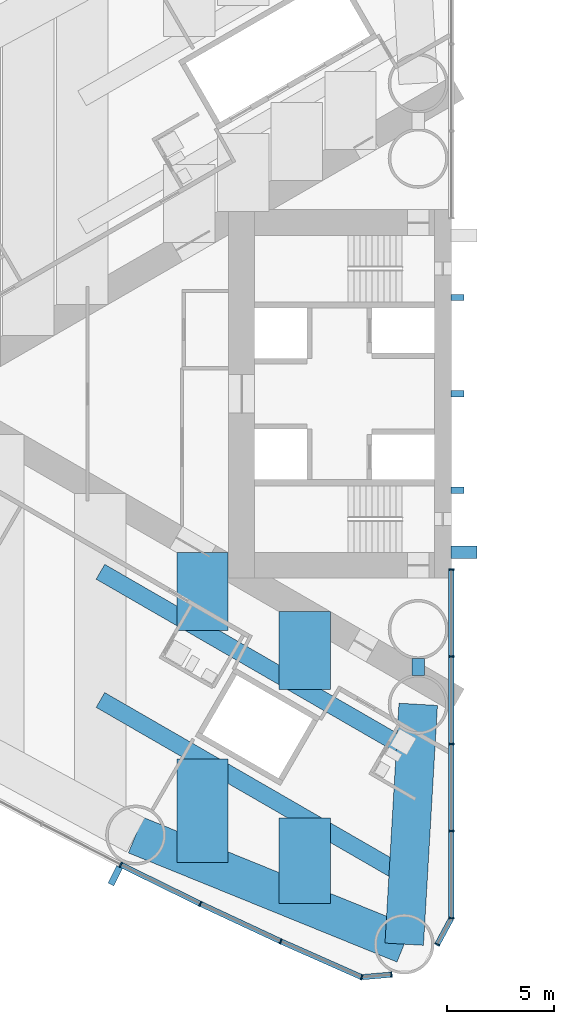
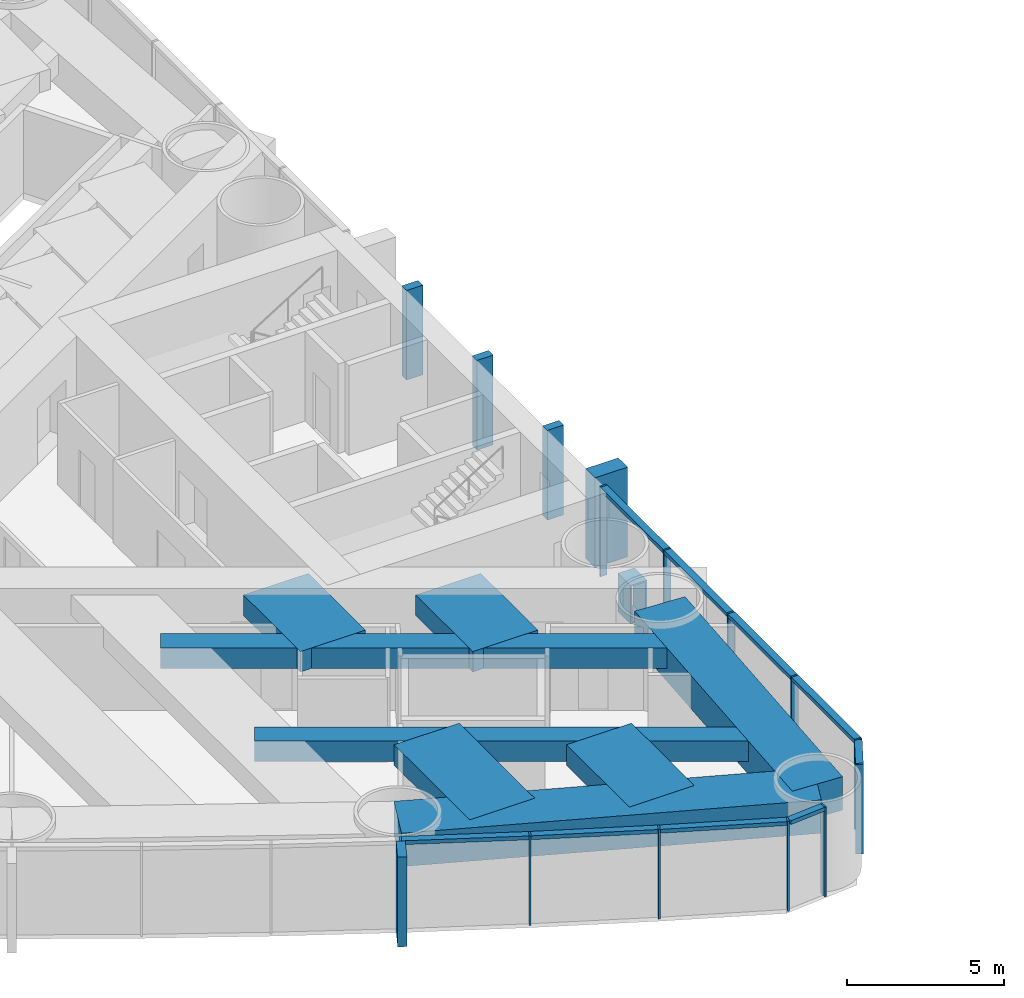
# One storey, part 3 of 18: 25 members, 9 beams, 2 elements without a shape of their own.
"""IFC4 building model written with IfcOpenShell, lengths in metres."""

from ifc_helpers import new_model, si_unit, direction, frame, origin, origin_2d, place, context, subcontext, project, spatial, rectangle, hollow_rectangle, extrude, material, material_profile, profile_set, type_object, element, aggregate, save


model = new_model("IFC4")

# Units and contexts
model_context = context("Model", 3, precision=1e-05, world=origin(), true_north=direction((0.0, 1.0)))
body_context = subcontext(model_context, "Body", "Model", "MODEL_VIEW")
ifc_project = project(units=[si_unit("LENGTHUNIT", "METRE"), si_unit("AREAUNIT", "SQUARE_METRE"), si_unit("VOLUMEUNIT", "CUBIC_METRE"), si_unit("PLANEANGLEUNIT", "RADIAN"), si_unit("MASSUNIT", "GRAM", prefix="KILO")], contexts=[model_context])

# Site, building, storey
site_placement = place(None, origin())
site = spatial("IfcSite", under=ifc_project, at=site_placement, CompositionType="ELEMENT")
building_placement = place(site_placement, origin())
building = spatial("IfcBuilding", under=site, at=building_placement, Name="Lancet Gate Hotel", CompositionType="ELEMENT")
storey_placement = place(building_placement, frame((0.0, 0.0, 46.0)))
storey = spatial("IfcBuildingStorey", under=building, at=storey_placement, Name="L11", CompositionType="ELEMENT", Elevation=46.0)

# Curtain wall, members
ifc_material_1 = material(Name="Aluminium curtain wall", Category="aluminium")
curtain_wall_type = type_object("IfcCurtainWallType", Name="Tower unitised curtain wall", PredefinedType="USERDEFINED", material=ifc_material_1)
curtain_wall_1_placement = place(storey_placement, origin())
curtain_wall_1 = element("IfcCurtainWall", 1, at=curtain_wall_1_placement, inside=storey, type_object=curtain_wall_type, Name="T1 L11 curtain wall 3", ObjectType="UNITISED CURTAIN WALL", PredefinedType="USERDEFINED")
ifc_material_2 = material(Name="Aluminium mullion", Category="aluminium")
ifc_material_profile_1 = material_profile(ifc_material_2, rectangle(XDim=0.06494140625, YDim=0.25, at=origin_2d()), Name="MULLION 65x250")
ifc_profile_set_1 = profile_set([ifc_material_profile_1], Name="Aluminium mullion")
member_type_1 = type_object("IfcMemberType", Name="Aluminium mullion 65x250", PredefinedType="MULLION", material=ifc_profile_set_1)
member_1_placement = place(storey_placement, frame((-42.94189453125, -21.991943359375, 0.0), z_axis=(0.0, 0.0, 1.0), x_axis=(0.893291549794, -0.449477704748, 0.0)))
member_1 = element("IfcMember", 2, at=member_1_placement, type_object=member_type_1, Name="T1 L11 curtain wall 3 mullion 11", PredefinedType="MULLION", context=body_context, shape_type="SweptSolid", body=[
    extrude(rectangle(XDim=0.06494140625, YDim=0.25, at=origin_2d()), origin(), (0.0, 0.0, 1.0), 3.5),
])
member_2_placement = place(storey_placement, frame((-39.225341796875, -23.816650390625, 0.0), z_axis=(0.0, 0.0, 1.0), x_axis=(0.901928838337, -0.431884672772, 0.0)))
member_2 = element("IfcMember", 3, at=member_2_placement, type_object=member_type_1, Name="T1 L11 curtain wall 3 mullion 12", PredefinedType="MULLION", context=body_context, shape_type="SweptSolid", body=[
    extrude(rectangle(XDim=0.06494140625, YDim=0.25, at=origin_2d()), origin(), (0.0, 0.0, 1.0), 3.5),
])
member_3_placement = place(storey_placement, frame((-35.473876953125, -25.568115234375, 0.0), z_axis=(0.0, 0.0, 1.0), x_axis=(0.910219680212, -0.414125746308, 0.0)))
member_3 = element("IfcMember", 4, at=member_3_placement, type_object=member_type_1, Name="T1 L11 curtain wall 3 mullion 13", PredefinedType="MULLION", context=body_context, shape_type="SweptSolid", body=[
    extrude(rectangle(XDim=0.06494140625, YDim=0.25, at=origin_2d()), origin(), (0.0, 0.0, 1.0), 3.5),
])
member_4_placement = place(storey_placement, frame((-31.688720703125, -27.24560546875, 0.0), z_axis=(0.0, 0.0, 1.0), x_axis=(0.957524354695, -0.288352406209, 0.0)))
member_4 = element("IfcMember", 5, at=member_4_placement, type_object=member_type_1, Name="T1 L11 curtain wall 3 mullion 14", PredefinedType="MULLION", context=body_context, shape_type="SweptSolid", body=[
    extrude(rectangle(XDim=0.06494140625, YDim=0.25, at=origin_2d()), origin(), (0.0, 0.0, 1.0), 3.5),
])
member_5_placement = place(storey_placement, frame((-30.3046875, -27.124755859375, 0.0), z_axis=(0.0, 0.0, 1.0), x_axis=(0.99620380374, 0.087051602022, 0.0)))
member_5 = element("IfcMember", 6, at=member_5_placement, type_object=member_type_1, Name="T1 L11 curtain wall 3 mullion 15", PredefinedType="MULLION", context=body_context, shape_type="SweptSolid", body=[
    extrude(rectangle(XDim=0.06494140625, YDim=0.25, at=origin_2d()), origin(), (0.0, 0.0, 1.0), 3.5),
])

curtain_wall_2_placement = place(storey_placement, origin())
curtain_wall_2 = element("IfcCurtainWall", 7, at=curtain_wall_2_placement, inside=storey, type_object=curtain_wall_type, Name="T1 L11 curtain wall 4", ObjectType="UNITISED CURTAIN WALL", PredefinedType="USERDEFINED")
member_6_placement = place(storey_placement, frame((-28.158935546875, -25.712890625, 0.0), z_axis=(0.0, 0.0, 1.0), x_axis=(0.474631040972, 0.880184852714, 0.0)))
member_6 = element("IfcMember", 8, at=member_6_placement, type_object=member_type_1, Name="T1 L11 curtain wall 4 mullion 1", PredefinedType="MULLION", context=body_context, shape_type="SweptSolid", body=[
    extrude(rectangle(XDim=0.06494140625, YDim=0.25, at=origin_2d()), origin(), (0.0, 0.0, 1.0), 3.5),
])
member_7_placement = place(storey_placement, frame((-27.5, -24.4912109375, 0.0), z_axis=(0.0, 0.0, 1.0), x_axis=(0.123482502544, 0.992346749662, 0.0)))
member_7 = element("IfcMember", 9, at=member_7_placement, type_object=member_type_1, Name="T1 L11 curtain wall 4 mullion 2", PredefinedType="MULLION", context=body_context, shape_type="SweptSolid", body=[
    extrude(rectangle(XDim=0.06494140625, YDim=0.25, at=origin_2d()), origin(), (0.0, 0.0, 1.0), 3.5),
])
member_8_placement = place(storey_placement, frame((-27.5, -20.41845703125, 0.0), z_axis=(0.0, 0.0, 1.0), x_axis=(0.0, 1.0, 0.0)))
member_8 = element("IfcMember", 10, at=member_8_placement, type_object=member_type_1, Name="T1 L11 curtain wall 4 mullion 3", PredefinedType="MULLION", context=body_context, shape_type="SweptSolid", body=[
    extrude(rectangle(XDim=0.06494140625, YDim=0.25, at=origin_2d()), origin(), (0.0, 0.0, 1.0), 3.5),
])
member_9_placement = place(storey_placement, frame((-27.5, -16.345703125, 0.0), z_axis=(0.0, 0.0, 1.0), x_axis=(0.0, 1.0, 0.0)))
member_9 = element("IfcMember", 11, at=member_9_placement, type_object=member_type_1, Name="T1 L11 curtain wall 4 mullion 4", PredefinedType="MULLION", context=body_context, shape_type="SweptSolid", body=[
    extrude(rectangle(XDim=0.06494140625, YDim=0.25, at=origin_2d()), origin(), (0.0, 0.0, 1.0), 3.5),
])
member_10_placement = place(storey_placement, frame((-27.5, -12.272705078125, 0.0), z_axis=(0.0, 0.0, 1.0), x_axis=(0.0, 1.0, 0.0)))
member_10 = element("IfcMember", 12, at=member_10_placement, type_object=member_type_1, Name="T1 L11 curtain wall 4 mullion 5", PredefinedType="MULLION", context=body_context, shape_type="SweptSolid", body=[
    extrude(rectangle(XDim=0.06494140625, YDim=0.25, at=origin_2d()), origin(), (0.0, 0.0, 1.0), 3.5),
])
member_11_placement = place(storey_placement, frame((-27.5, -8.199951171875, 0.0), z_axis=(0.0, 0.0, 1.0), x_axis=(0.0, 1.0, 0.0)))
member_11 = element("IfcMember", 13, at=member_11_placement, type_object=member_type_1, Name="T1 L11 curtain wall 4 mullion 6", PredefinedType="MULLION", context=body_context, shape_type="SweptSolid", body=[
    extrude(rectangle(XDim=0.06494140625, YDim=0.25, at=origin_2d()), origin(), (0.0, 0.0, 1.0), 3.5),
])

# Member
ifc_material_3 = material(Name="Aluminium transom", Category="aluminium")
ifc_material_profile_2 = material_profile(ifc_material_3, rectangle(XDim=0.25, YDim=0.14990234375, at=origin_2d()), Name="TRANSOM 250x150")
ifc_profile_set_2 = profile_set([ifc_material_profile_2], Name="Aluminium transom")
member_type_2 = type_object("IfcMemberType", Name="Aluminium transom 250x150", PredefinedType="USERDEFINED", material=ifc_profile_set_2)
member_12_placement = place(storey_placement, frame((-42.912841796875, -22.00634765625, 3.425048828125), z_axis=(0.897662439958, -0.440683723194, 0.0), x_axis=(0.440683723194, 0.897662439958, 0.0)))
member_12 = element("IfcMember", 14, at=member_12_placement, type_object=member_type_2, Name="T1 L11 curtain wall 3 transom 11", ObjectType="TRANSOM", PredefinedType="USERDEFINED", context=body_context, shape_type="SweptSolid", body=[
    extrude(rectangle(XDim=0.25, YDim=0.14990234375, at=origin_2d()), origin(), (0.0, 0.0, 1.0), 4.0751953125),
])

member_13_placement = place(storey_placement, frame((-39.196044921875, -23.830322265625, 3.425048828125), z_axis=(0.906109667261, -0.423042871228, 0.0), x_axis=(0.423042871228, 0.906109667261, 0.0)))
member_13 = element("IfcMember", 15, at=member_13_placement, type_object=member_type_2, Name="T1 L11 curtain wall 3 transom 12", ObjectType="TRANSOM", PredefinedType="USERDEFINED", context=body_context, shape_type="SweptSolid", body=[
    extrude(rectangle(XDim=0.25, YDim=0.14990234375, at=origin_2d()), origin(), (0.0, 0.0, 1.0), 4.075439453125),
])

member_14_placement = place(storey_placement, frame((-35.444091796875, -25.581298828125, 3.425048828125), z_axis=(0.914248281954, -0.405154389022, 0.0), x_axis=(0.405154389022, 0.914248281954, 0.0)))
member_14 = element("IfcMember", 16, at=member_14_placement, type_object=member_type_2, Name="T1 L11 curtain wall 3 transom 13", ObjectType="TRANSOM", PredefinedType="USERDEFINED", context=body_context, shape_type="SweptSolid", body=[
    extrude(rectangle(XDim=0.25, YDim=0.14990234375, at=origin_2d()), origin(), (0.0, 0.0, 1.0), 4.0751953125),
])

member_15_placement = place(storey_placement, frame((-31.65625, -27.242919921875, 3.425048828125), z_axis=(0.99620591587, 0.087027427779, 0.0), x_axis=(-0.087027427779, 0.99620591587, 0.0)))
member_15 = element("IfcMember", 17, at=member_15_placement, type_object=member_type_2, Name="T1 L11 curtain wall 3 transom 14", ObjectType="TRANSOM", PredefinedType="USERDEFINED", context=body_context, shape_type="SweptSolid", body=[
    extrude(rectangle(XDim=0.25, YDim=0.14990234375, at=origin_2d()), origin(), (0.0, 0.0, 1.0), 1.32421875),
])

member_16_placement = place(storey_placement, frame((-28.143310546875, -25.684326171875, 3.425048828125), z_axis=(0.474605926905, 0.880198394765, 0.0), x_axis=(-0.880198394765, 0.474605926905, 0.0)))
member_16 = element("IfcMember", 18, at=member_16_placement, type_object=member_type_2, Name="T1 L11 curtain wall 4 transom 1", ObjectType="TRANSOM", PredefinedType="USERDEFINED", context=body_context, shape_type="SweptSolid", body=[
    extrude(rectangle(XDim=0.25, YDim=0.14990234375, at=origin_2d()), origin(), (0.0, 0.0, 1.0), 1.322998046875),
])

member_17_placement = place(storey_placement, frame((-27.5, -24.458740234375, 3.425048828125), z_axis=(0.0, 1.0, 0.0), x_axis=(-1.0, 0.0, 0.0)))
member_17 = element("IfcMember", 19, at=member_17_placement, type_object=member_type_2, Name="T1 L11 curtain wall 4 transom 2", ObjectType="TRANSOM", PredefinedType="USERDEFINED", context=body_context, shape_type="SweptSolid", body=[
    extrude(rectangle(XDim=0.25, YDim=0.14990234375, at=origin_2d()), origin(), (0.0, 0.0, 1.0), 4.0078125),
])

member_18_placement = place(storey_placement, frame((-27.5, -20.385986328125, 3.425048828125), z_axis=(0.0, 1.0, 0.0), x_axis=(-1.0, 0.0, 0.0)))
member_18 = element("IfcMember", 20, at=member_18_placement, type_object=member_type_2, Name="T1 L11 curtain wall 4 transom 3", ObjectType="TRANSOM", PredefinedType="USERDEFINED", context=body_context, shape_type="SweptSolid", body=[
    extrude(rectangle(XDim=0.25, YDim=0.14990234375, at=origin_2d()), origin(), (0.0, 0.0, 1.0), 4.0078125),
])

member_19_placement = place(storey_placement, frame((-27.5, -16.31298828125, 3.425048828125), z_axis=(0.0, 1.0, 0.0), x_axis=(-1.0, 0.0, 0.0)))
member_19 = element("IfcMember", 21, at=member_19_placement, type_object=member_type_2, Name="T1 L11 curtain wall 4 transom 4", ObjectType="TRANSOM", PredefinedType="USERDEFINED", context=body_context, shape_type="SweptSolid", body=[
    extrude(rectangle(XDim=0.25, YDim=0.14990234375, at=origin_2d()), origin(), (0.0, 0.0, 1.0), 4.0078125),
])

member_20_placement = place(storey_placement, frame((-27.5, -12.240234375, 3.425048828125), z_axis=(0.0, 1.0, 0.0), x_axis=(-1.0, 0.0, 0.0)))
member_20 = element("IfcMember", 22, at=member_20_placement, type_object=member_type_2, Name="T1 L11 curtain wall 4 transom 5", ObjectType="TRANSOM", PredefinedType="USERDEFINED", context=body_context, shape_type="SweptSolid", body=[
    extrude(rectangle(XDim=0.25, YDim=0.14990234375, at=origin_2d()), origin(), (0.0, 0.0, 1.0), 4.0078125),
])

aggregate(curtain_wall_2, [member_6, member_7, member_8, member_9, member_10, member_11, member_16, member_17, member_18, member_19, member_20])

# Beams
ifc_material_4 = material(Name="Concrete C50/60", Category="concrete")
ifc_material_profile_3 = material_profile(ifc_material_4, rectangle(XDim=1.800048828125, YDim=1.300048828125, at=origin_2d()), Name="RC 1800x1300")
ifc_profile_set_3 = profile_set([ifc_material_profile_3], Name="Concrete C50/60")
beam_type_1 = type_object("IfcBeamType", Name="Edge beam RC 1800x1300", PredefinedType="SPANDREL", material=ifc_profile_set_3)
beam_1_placement = place(storey_placement, frame((-42.2451171875, -20.607421875, 2.60009765625), z_axis=(0.926463236197, -0.376385270667, 0.0), x_axis=(0.376385270667, 0.926463236197, 0.0)))
element("IfcBeam", 23, at=beam_1_placement, inside=storey, type_object=beam_type_1, Name="T1 edge beam EB1 L11", PredefinedType="SPANDREL", context=body_context, shape_type="SweptSolid", body=[
    extrude(rectangle(XDim=1.800048828125, YDim=1.300048828125, at=origin_2d()), origin(), (0.0, 0.0, 1.0), 13.537353515625),
])
beam_2_placement = place(storey_placement, frame((-29.050048828125, -14.5, 2.60009765625), z_axis=(-0.058219521912, -0.998303805096, 0.0), x_axis=(0.998303805096, -0.058219521912, 0.0)))
element("IfcBeam", 24, at=beam_2_placement, inside=storey, type_object=beam_type_1, Name="T1 edge beam EB1 L11", PredefinedType="SPANDREL", context=body_context, shape_type="SweptSolid", body=[
    extrude(rectangle(XDim=1.800048828125, YDim=1.300048828125, at=origin_2d()), origin(), (0.0, 0.0, 1.0), 11.2216796875),
])

# Member
ifc_material_5 = material(Name="Concrete C60/75", Category="concrete")
ifc_material_profile_4 = material_profile(ifc_material_5, rectangle(XDim=0.60009765625, YDim=1.199951171875, at=origin_2d()), Name="FIN 600x1200")
ifc_profile_set_4 = profile_set([ifc_material_profile_4], Name="Concrete C60/75")
member_type_3 = type_object("IfcMemberType", Name="Exposed concrete buttress pilaster 600x1200", PredefinedType="USERDEFINED", material=ifc_profile_set_4)
member_21_placement = place(storey_placement, frame((-26.909912109375, -7.39990234375, 0.0), z_axis=(0.0, 0.0, 1.0), x_axis=(0.0, 1.0, 0.0)))
element("IfcMember", 25, at=member_21_placement, inside=storey, type_object=member_type_3, Name="T1 buttress pilaster N L11", ObjectType="FIN", PredefinedType="USERDEFINED", context=body_context, shape_type="SweptSolid", body=[
    extrude(rectangle(XDim=0.60009765625, YDim=1.199951171875, at=origin_2d()), origin(), (0.0, 0.0, 1.0), 3.5),
])

ifc_material_6 = material(Name="Precast concrete C50/60", Category="concrete")
ifc_material_profile_5 = material_profile(ifc_material_6, rectangle(XDim=0.300048828125, YDim=0.89990234375, at=origin_2d()), Name="FIN 300x900")
ifc_profile_set_5 = profile_set([ifc_material_profile_5], Name="Precast concrete C50/60")
member_type_4 = type_object("IfcMemberType", Name="Exposed concrete fin 300x900", PredefinedType="USERDEFINED", material=ifc_profile_set_5)
member_22_placement = place(storey_placement, frame((-43.200439453125, -22.505615234375, 0.0), z_axis=(0.0, 0.0, 1.0), x_axis=(0.893291549794, -0.449477704748, 0.0)))
member_22 = element("IfcMember", 26, at=member_22_placement, type_object=member_type_4, Name="T1 L11 curtain wall 3 fin 11", ObjectType="FIN", PredefinedType="USERDEFINED", context=body_context, shape_type="SweptSolid", body=[
    extrude(rectangle(XDim=0.300048828125, YDim=0.89990234375, at=origin_2d()), origin(), (0.0, 0.0, 1.0), 3.5),
])

aggregate(curtain_wall_1, [member_1, member_22, member_2, member_3, member_4, member_5, member_12, member_13, member_14, member_15])

# Members
ifc_material_7 = material(Name="Concrete C60/75", Category="concrete")
ifc_material_profile_6 = material_profile(ifc_material_7, rectangle(XDim=0.300048828125, YDim=0.60009765625, at=origin_2d()), Name="FIN 300x600")
ifc_profile_set_6 = profile_set([ifc_material_profile_6], Name="Concrete C60/75")
member_type_5 = type_object("IfcMemberType", Name="Exposed concrete rib 300x600", PredefinedType="USERDEFINED", material=ifc_profile_set_6)
for number, where, z_axis, x_axis, name in (
    (27, (-27.2099609375, 4.5, 0.0), (0.0, 0.0, 1.0), (0.0, 1.0, 0.0), "T1 core rib 1 L11"),
    (28, (-27.2099609375, 0.0, 0.0), (0.0, 0.0, 1.0), (0.0, 1.0, 0.0), "T1 core rib 2 L11"),
    (29, (-27.2099609375, -4.5, 0.0), (0.0, 0.0, 1.0), (0.0, 1.0, 0.0), "T1 core rib 3 L11"),
):
    element("IfcMember", number, at=place(storey_placement, frame(where, z_axis=z_axis, x_axis=x_axis)), inside=storey, type_object=member_type_5, Name=name, ObjectType="FIN", PredefinedType="USERDEFINED", context=body_context, shape_type="SweptSolid", body=[
        extrude(rectangle(XDim=0.300048828125, YDim=0.60009765625, at=origin_2d()), origin(), (0.0, 0.0, 1.0), 3.5),
    ])

# Beams
ifc_material_8 = material(Name="Concrete C50/60", Category="concrete")
ifc_material_profile_7 = material_profile(ifc_material_8, rectangle(XDim=2.39990234375, YDim=0.800048828125, at=origin_2d()), Name="RC 2400x800")
ifc_profile_set_7 = profile_set([ifc_material_profile_7], Name="Concrete C50/60")
beam_type_2 = type_object("IfcBeamType", Name="Floor beam RC 2400x800", PredefinedType="BEAM", material=ifc_profile_set_7)
beam_3_placement = place(storey_placement, frame((-34.353515625, -10.169921875, 2.85009765625), z_axis=(0.0, -1.0, 0.0), x_axis=(1.0, 0.0, 0.0)))
element("IfcBeam", 30, at=beam_3_placement, inside=storey, type_object=beam_type_2, Name="T1 floor beam F03NA L11", PredefinedType="BEAM", context=body_context, shape_type="SweptSolid", body=[
    extrude(rectangle(XDim=2.39990234375, YDim=0.800048828125, at=origin_2d()), origin(), (0.0, 0.0, 1.0), 3.645751953125),
])
beam_4_placement = place(storey_placement, frame((-34.353515625, -19.802978515625, 2.85009765625), z_axis=(0.0, -1.0, 0.0), x_axis=(1.0, 0.0, 0.0)))
element("IfcBeam", 31, at=beam_4_placement, inside=storey, type_object=beam_type_2, Name="T1 floor beam F03NB L11", PredefinedType="BEAM", context=body_context, shape_type="SweptSolid", body=[
    extrude(rectangle(XDim=2.39990234375, YDim=0.800048828125, at=origin_2d()), origin(), (0.0, 0.0, 1.0), 4.010498046875),
])
beam_5_placement = place(storey_placement, frame((-39.122314453125, -7.41650390625, 2.85009765625), z_axis=(0.0, -1.0, 0.0), x_axis=(1.0, 0.0, 0.0)))
element("IfcBeam", 32, at=beam_5_placement, inside=storey, type_object=beam_type_2, Name="T1 floor beam F06NA L11", PredefinedType="BEAM", context=body_context, shape_type="SweptSolid", body=[
    extrude(rectangle(XDim=2.39990234375, YDim=0.800048828125, at=origin_2d()), origin(), (0.0, 0.0, 1.0), 3.64599609375),
])
beam_6_placement = place(storey_placement, frame((-39.122314453125, -17.0498046875, 2.85009765625), z_axis=(0.0, -1.0, 0.0), x_axis=(1.0, 0.0, 0.0)))
element("IfcBeam", 33, at=beam_6_placement, inside=storey, type_object=beam_type_2, Name="T1 floor beam F06NB L11", PredefinedType="BEAM", context=body_context, shape_type="SweptSolid", body=[
    extrude(rectangle(XDim=2.39990234375, YDim=0.800048828125, at=origin_2d()), origin(), (0.0, 0.0, 1.0), 4.826416015625),
])
ifc_material_9 = material(Name="Steel S460QL", Category="steel")
ifc_material_profile_8 = material_profile(ifc_material_9, hollow_rectangle(XDim=0.60009765625, YDim=1.5, WallThickness=0.050048828125, at=origin_2d()), Name="BOX 1500x600x50")
ifc_profile_set_8 = profile_set([ifc_material_profile_8], Name="Steel S460QL")
beam_type_3 = type_object("IfcBeamType", Name="Inner-face link beam BOX 1500x600x50", PredefinedType="BEAM", material=ifc_profile_set_8)
beam_7_placement = place(storey_placement, frame((-29.050048828125, -12.35009765625, 2.5), z_axis=(0.0, -1.0, 0.0), x_axis=(1.0, 0.0, 0.0)))
element("IfcBeam", 34, at=beam_7_placement, inside=storey, type_object=beam_type_3, Name="T1 inner-face link beam LK1 L11", PredefinedType="BEAM", context=body_context, shape_type="SweptSolid", body=[
    extrude(hollow_rectangle(XDim=0.60009765625, YDim=1.5, WallThickness=0.050048828125, at=origin_2d()), origin(), (0.0, 0.0, 1.0), 0.7998046875),
])
ifc_material_10 = material(Name="Steel S460QL", Category="steel")
ifc_material_profile_9 = material_profile(ifc_material_10, hollow_rectangle(XDim=0.800048828125, YDim=0.800048828125, WallThickness=0.080078125, at=origin_2d()), Name="BOX 800x800x80")
ifc_profile_set_9 = profile_set([ifc_material_profile_9], Name="Steel S460QL")
beam_type_4 = type_object("IfcBeamType", Name="Trimmer beam BOX 800x800x80", PredefinedType="BEAM", material=ifc_profile_set_9)
for number, where, z_axis, x_axis, name in (
    (35, (-29.58447265625, -22.55615234375, 2.85009765625), (-0.866040141834, 0.49997447208, 0.0), (-0.49997447208, -0.866040141834, 0.0), "T1 trimmer beam TR03N L11"),
    (36, (-29.58447265625, -16.56884765625, 2.85009765625), (-0.866040141834, 0.49997447208, 0.0), (-0.49997447208, -0.866040141834, 0.0), "T1 trimmer beam TR04N L11"),
):
    element("IfcBeam", number, at=place(storey_placement, frame(where, z_axis=z_axis, x_axis=x_axis)), inside=storey, type_object=beam_type_4, Name=name, PredefinedType="BEAM", context=body_context, shape_type="SweptSolid", body=[
        extrude(hollow_rectangle(XDim=0.800048828125, YDim=0.800048828125, WallThickness=0.080078125, at=origin_2d()), origin(), (0.0, 0.0, 1.0), 16.519775390625),
    ])

save(model, "model.ifc")
